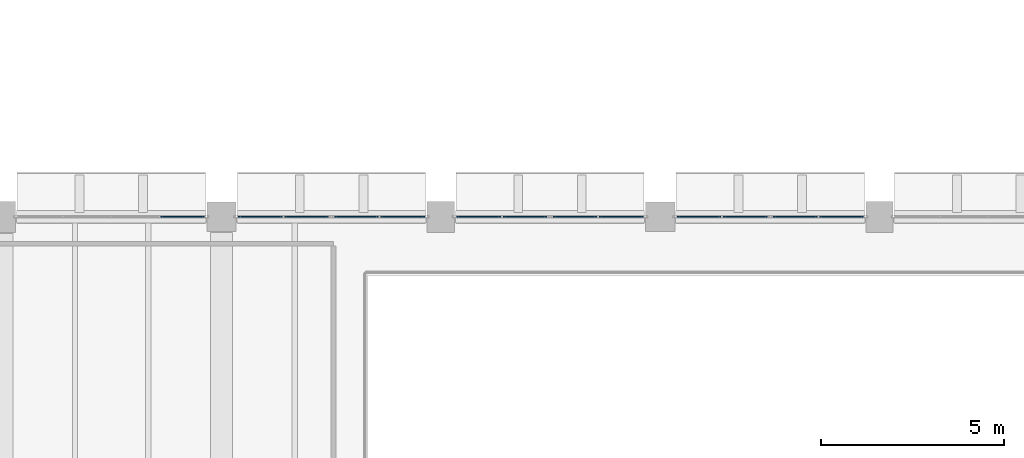
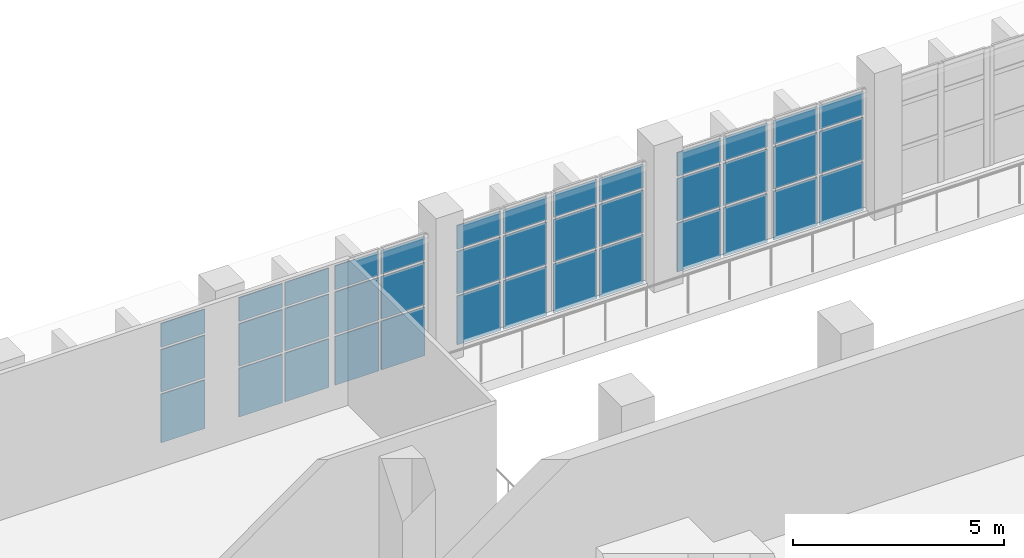
# One storey, part 54 of 76: 39 plates, 7 elements without a shape of their own.
"""IFC4 building model written with IfcOpenShell, lengths in metres."""

from ifc_helpers import new_model, si_unit, direction, frame, origin, origin_2d, place, context, subcontext, project, spatial, rectangle, extrude, material, layer, layer_set, type_object, element, aggregate, save


model = new_model("IFC4")

# Units and contexts
model_context = context("Model", 3, precision=1e-05, world=origin(), true_north=direction((0.0, 1.0)))
body_context = subcontext(model_context, "Body", "Model", "MODEL_VIEW")
ifc_project = project(units=[si_unit("LENGTHUNIT", "METRE"), si_unit("AREAUNIT", "SQUARE_METRE"), si_unit("VOLUMEUNIT", "CUBIC_METRE"), si_unit("PLANEANGLEUNIT", "RADIAN"), si_unit("MASSUNIT", "GRAM", prefix="KILO")], contexts=[model_context])

# Site, building, storey
site_placement = place(None, origin())
site = spatial("IfcSite", under=ifc_project, at=site_placement, CompositionType="ELEMENT")
building_placement = place(site_placement, origin())
building = spatial("IfcBuilding", under=site, at=building_placement, Name="Varnakota Cinema and Media Centre", CompositionType="ELEMENT")
storey_placement = place(building_placement, origin())
storey = spatial("IfcBuildingStorey", under=building, at=storey_placement, Name="L00", CompositionType="ELEMENT", Elevation=0.0)

# Curtain wall, plates
ifc_material_1 = material(Name="Thermally broken anodised aluminium AW-6063", Category="aluminium")
curtain_wall_type = type_object("IfcCurtainWallType", Name="CW-STD-259x358", PredefinedType="USERDEFINED", material=ifc_material_1)
curtain_wall_1_placement = place(storey_placement, origin())
curtain_wall_1 = element("IfcCurtainWall", 1, at=curtain_wall_1_placement, inside=storey, type_object=curtain_wall_type, Name="L00 curtain wall CW-L00-V1-N-06-2", ObjectType="UNITISED CURTAIN WALL", PredefinedType="USERDEFINED")
ifc_material_2 = material(Name="Laminated solar-control double glazing", Category="glass")
ifc_layer = layer(ifc_material_2, 0.028076171875)
ifc_layer_set = layer_set([ifc_layer], Name="Laminated solar-control double glazing")
plate_type = type_object("IfcPlateType", Name="CWP-DGU-28", PredefinedType="CURTAIN_PANEL", material=ifc_layer_set)
plate_1_placement = place(storey_placement, frame((109.935546875, 44.0, 0.06494140625), z_axis=(0.0, 0.0, 1.0), x_axis=(1.0, 0.0, 0.0)))
plate_1 = element("IfcPlate", 2, at=plate_1_placement, type_object=plate_type, Name="CW06 panel 2.1", PredefinedType="CURTAIN_PANEL", context=body_context, shape_type="SweptSolid", body=[
    extrude(rectangle(XDim=1.19873046875, YDim=0.028076171875, at=origin_2d()), origin(), (0.0, 0.0, 1.0), 1.408203125),
])
plate_2_placement = place(storey_placement, frame((109.935546875, 44.0, 1.5380859375), z_axis=(0.0, 0.0, 1.0), x_axis=(1.0, 0.0, 0.0)))
plate_2 = element("IfcPlate", 3, at=plate_2_placement, type_object=plate_type, Name="CW06 panel 2.2", PredefinedType="CURTAIN_PANEL", context=body_context, shape_type="SweptSolid", body=[
    extrude(rectangle(XDim=1.19873046875, YDim=0.028076171875, at=origin_2d()), origin(), (0.0, 0.0, 1.0), 1.2255859375),
])
plate_3_placement = place(storey_placement, frame((109.935546875, 44.0, 2.82861328125), z_axis=(0.0, 0.0, 1.0), x_axis=(1.0, 0.0, 0.0)))
plate_3 = element("IfcPlate", 4, at=plate_3_placement, type_object=plate_type, Name="CW06 panel 2.3", PredefinedType="CURTAIN_PANEL", context=body_context, shape_type="SweptSolid", body=[
    extrude(rectangle(XDim=1.19873046875, YDim=0.028076171875, at=origin_2d()), origin(), (0.0, 0.0, 1.0), 0.691162109375),
])
aggregate(curtain_wall_1, [plate_1, plate_2, plate_3])

curtain_wall_2_placement = place(storey_placement, origin())
curtain_wall_2 = element("IfcCurtainWall", 5, at=curtain_wall_2_placement, inside=storey, type_object=curtain_wall_type, Name="L00 curtain wall CW-L00-V1-N-07-1", ObjectType="UNITISED CURTAIN WALL", PredefinedType="USERDEFINED")
plate_4_placement = place(storey_placement, frame((112.064453125, 44.0, 0.06494140625), z_axis=(0.0, 0.0, 1.0), x_axis=(1.0, 0.0, 0.0)))
plate_4 = element("IfcPlate", 6, at=plate_4_placement, type_object=plate_type, Name="CW06 panel 1.1", PredefinedType="CURTAIN_PANEL", context=body_context, shape_type="SweptSolid", body=[
    extrude(rectangle(XDim=1.19873046875, YDim=0.028076171875, at=origin_2d()), origin(), (0.0, 0.0, 1.0), 1.408203125),
])
plate_5_placement = place(storey_placement, frame((112.064453125, 44.0, 1.5380859375), z_axis=(0.0, 0.0, 1.0), x_axis=(1.0, 0.0, 0.0)))
plate_5 = element("IfcPlate", 7, at=plate_5_placement, type_object=plate_type, Name="CW06 panel 1.2", PredefinedType="CURTAIN_PANEL", context=body_context, shape_type="SweptSolid", body=[
    extrude(rectangle(XDim=1.19873046875, YDim=0.028076171875, at=origin_2d()), origin(), (0.0, 0.0, 1.0), 1.2255859375),
])
plate_6_placement = place(storey_placement, frame((112.064453125, 44.0, 2.82861328125), z_axis=(0.0, 0.0, 1.0), x_axis=(1.0, 0.0, 0.0)))
plate_6 = element("IfcPlate", 8, at=plate_6_placement, type_object=plate_type, Name="CW06 panel 1.3", PredefinedType="CURTAIN_PANEL", context=body_context, shape_type="SweptSolid", body=[
    extrude(rectangle(XDim=1.19873046875, YDim=0.028076171875, at=origin_2d()), origin(), (0.0, 0.0, 1.0), 0.691162109375),
])
plate_7_placement = place(storey_placement, frame((113.328125, 44.0, 0.06494140625), z_axis=(0.0, 0.0, 1.0), x_axis=(1.0, 0.0, 0.0)))
plate_7 = element("IfcPlate", 9, at=plate_7_placement, type_object=plate_type, Name="CW06 panel 2.1", PredefinedType="CURTAIN_PANEL", context=body_context, shape_type="SweptSolid", body=[
    extrude(rectangle(XDim=1.19873046875, YDim=0.028076171875, at=origin_2d()), origin(), (0.0, 0.0, 1.0), 1.408203125),
])
plate_8_placement = place(storey_placement, frame((113.328125, 44.0, 1.5380859375), z_axis=(0.0, 0.0, 1.0), x_axis=(1.0, 0.0, 0.0)))
plate_8 = element("IfcPlate", 10, at=plate_8_placement, type_object=plate_type, Name="CW06 panel 2.2", PredefinedType="CURTAIN_PANEL", context=body_context, shape_type="SweptSolid", body=[
    extrude(rectangle(XDim=1.19873046875, YDim=0.028076171875, at=origin_2d()), origin(), (0.0, 0.0, 1.0), 1.2255859375),
])
plate_9_placement = place(storey_placement, frame((113.328125, 44.0, 2.82861328125), z_axis=(0.0, 0.0, 1.0), x_axis=(1.0, 0.0, 0.0)))
plate_9 = element("IfcPlate", 11, at=plate_9_placement, type_object=plate_type, Name="CW06 panel 2.3", PredefinedType="CURTAIN_PANEL", context=body_context, shape_type="SweptSolid", body=[
    extrude(rectangle(XDim=1.19873046875, YDim=0.028076171875, at=origin_2d()), origin(), (0.0, 0.0, 1.0), 0.691162109375),
])
aggregate(curtain_wall_2, [plate_4, plate_5, plate_6, plate_7, plate_8, plate_9])

curtain_wall_3_placement = place(storey_placement, origin())
curtain_wall_3 = element("IfcCurtainWall", 12, at=curtain_wall_3_placement, inside=storey, type_object=curtain_wall_type, Name="L00 curtain wall CW-L00-V1-N-07-2", ObjectType="UNITISED CURTAIN WALL", PredefinedType="USERDEFINED")
plate_10_placement = place(storey_placement, frame((114.69677734375, 44.0, 0.06494140625), z_axis=(0.0, 0.0, 1.0), x_axis=(1.0, 0.0, 0.0)))
plate_10 = element("IfcPlate", 13, at=plate_10_placement, type_object=plate_type, Name="CW06 panel 1.1", PredefinedType="CURTAIN_PANEL", context=body_context, shape_type="SweptSolid", body=[
    extrude(rectangle(XDim=1.19873046875, YDim=0.028076171875, at=origin_2d()), origin(), (0.0, 0.0, 1.0), 1.408203125),
])
plate_11_placement = place(storey_placement, frame((114.69677734375, 44.0, 1.5380859375), z_axis=(0.0, 0.0, 1.0), x_axis=(1.0, 0.0, 0.0)))
plate_11 = element("IfcPlate", 14, at=plate_11_placement, type_object=plate_type, Name="CW06 panel 1.2", PredefinedType="CURTAIN_PANEL", context=body_context, shape_type="SweptSolid", body=[
    extrude(rectangle(XDim=1.19873046875, YDim=0.028076171875, at=origin_2d()), origin(), (0.0, 0.0, 1.0), 1.2255859375),
])
plate_12_placement = place(storey_placement, frame((114.69677734375, 44.0, 2.82861328125), z_axis=(0.0, 0.0, 1.0), x_axis=(1.0, 0.0, 0.0)))
plate_12 = element("IfcPlate", 15, at=plate_12_placement, type_object=plate_type, Name="CW06 panel 1.3", PredefinedType="CURTAIN_PANEL", context=body_context, shape_type="SweptSolid", body=[
    extrude(rectangle(XDim=1.19873046875, YDim=0.028076171875, at=origin_2d()), origin(), (0.0, 0.0, 1.0), 0.691162109375),
])
plate_13_placement = place(storey_placement, frame((115.960693359375, 44.0, 0.06494140625), z_axis=(0.0, 0.0, 1.0), x_axis=(1.0, 0.0, 0.0)))
plate_13 = element("IfcPlate", 16, at=plate_13_placement, type_object=plate_type, Name="CW06 panel 2.1", PredefinedType="CURTAIN_PANEL", context=body_context, shape_type="SweptSolid", body=[
    extrude(rectangle(XDim=1.19873046875, YDim=0.028076171875, at=origin_2d()), origin(), (0.0, 0.0, 1.0), 1.408203125),
])
plate_14_placement = place(storey_placement, frame((115.960693359375, 44.0, 1.5380859375), z_axis=(0.0, 0.0, 1.0), x_axis=(1.0, 0.0, 0.0)))
plate_14 = element("IfcPlate", 17, at=plate_14_placement, type_object=plate_type, Name="CW06 panel 2.2", PredefinedType="CURTAIN_PANEL", context=body_context, shape_type="SweptSolid", body=[
    extrude(rectangle(XDim=1.19873046875, YDim=0.028076171875, at=origin_2d()), origin(), (0.0, 0.0, 1.0), 1.2255859375),
])
plate_15_placement = place(storey_placement, frame((115.960693359375, 44.0, 2.82861328125), z_axis=(0.0, 0.0, 1.0), x_axis=(1.0, 0.0, 0.0)))
plate_15 = element("IfcPlate", 18, at=plate_15_placement, type_object=plate_type, Name="CW06 panel 2.3", PredefinedType="CURTAIN_PANEL", context=body_context, shape_type="SweptSolid", body=[
    extrude(rectangle(XDim=1.19873046875, YDim=0.028076171875, at=origin_2d()), origin(), (0.0, 0.0, 1.0), 0.691162109375),
])
aggregate(curtain_wall_3, [plate_10, plate_11, plate_12, plate_13, plate_14, plate_15])

curtain_wall_4_placement = place(storey_placement, origin())
curtain_wall_4 = element("IfcCurtainWall", 19, at=curtain_wall_4_placement, inside=storey, type_object=curtain_wall_type, Name="L00 curtain wall CW-L00-V1-N-08-1", ObjectType="UNITISED CURTAIN WALL", PredefinedType="USERDEFINED")
plate_16_placement = place(storey_placement, frame((118.039306640625, 44.0, 0.06494140625), z_axis=(0.0, 0.0, 1.0), x_axis=(1.0, 0.0, 0.0)))
plate_16 = element("IfcPlate", 20, at=plate_16_placement, type_object=plate_type, Name="CW06 panel 1.1", PredefinedType="CURTAIN_PANEL", context=body_context, shape_type="SweptSolid", body=[
    extrude(rectangle(XDim=1.19873046875, YDim=0.028076171875, at=origin_2d()), origin(), (0.0, 0.0, 1.0), 1.408203125),
])
plate_17_placement = place(storey_placement, frame((118.039306640625, 44.0, 1.5380859375), z_axis=(0.0, 0.0, 1.0), x_axis=(1.0, 0.0, 0.0)))
plate_17 = element("IfcPlate", 21, at=plate_17_placement, type_object=plate_type, Name="CW06 panel 1.2", PredefinedType="CURTAIN_PANEL", context=body_context, shape_type="SweptSolid", body=[
    extrude(rectangle(XDim=1.19873046875, YDim=0.028076171875, at=origin_2d()), origin(), (0.0, 0.0, 1.0), 1.2255859375),
])
plate_18_placement = place(storey_placement, frame((118.039306640625, 44.0, 2.82861328125), z_axis=(0.0, 0.0, 1.0), x_axis=(1.0, 0.0, 0.0)))
plate_18 = element("IfcPlate", 22, at=plate_18_placement, type_object=plate_type, Name="CW06 panel 1.3", PredefinedType="CURTAIN_PANEL", context=body_context, shape_type="SweptSolid", body=[
    extrude(rectangle(XDim=1.19873046875, YDim=0.028076171875, at=origin_2d()), origin(), (0.0, 0.0, 1.0), 0.691162109375),
])
plate_19_placement = place(storey_placement, frame((119.30322265625, 44.0, 0.06494140625), z_axis=(0.0, 0.0, 1.0), x_axis=(1.0, 0.0, 0.0)))
plate_19 = element("IfcPlate", 23, at=plate_19_placement, type_object=plate_type, Name="CW06 panel 2.1", PredefinedType="CURTAIN_PANEL", context=body_context, shape_type="SweptSolid", body=[
    extrude(rectangle(XDim=1.19873046875, YDim=0.028076171875, at=origin_2d()), origin(), (0.0, 0.0, 1.0), 1.408203125),
])
plate_20_placement = place(storey_placement, frame((119.30322265625, 44.0, 1.5380859375), z_axis=(0.0, 0.0, 1.0), x_axis=(1.0, 0.0, 0.0)))
plate_20 = element("IfcPlate", 24, at=plate_20_placement, type_object=plate_type, Name="CW06 panel 2.2", PredefinedType="CURTAIN_PANEL", context=body_context, shape_type="SweptSolid", body=[
    extrude(rectangle(XDim=1.19873046875, YDim=0.028076171875, at=origin_2d()), origin(), (0.0, 0.0, 1.0), 1.2255859375),
])
plate_21_placement = place(storey_placement, frame((119.30322265625, 44.0, 2.82861328125), z_axis=(0.0, 0.0, 1.0), x_axis=(1.0, 0.0, 0.0)))
plate_21 = element("IfcPlate", 25, at=plate_21_placement, type_object=plate_type, Name="CW06 panel 2.3", PredefinedType="CURTAIN_PANEL", context=body_context, shape_type="SweptSolid", body=[
    extrude(rectangle(XDim=1.19873046875, YDim=0.028076171875, at=origin_2d()), origin(), (0.0, 0.0, 1.0), 0.691162109375),
])
aggregate(curtain_wall_4, [plate_16, plate_17, plate_18, plate_19, plate_20, plate_21])

curtain_wall_5_placement = place(storey_placement, origin())
curtain_wall_5 = element("IfcCurtainWall", 26, at=curtain_wall_5_placement, inside=storey, type_object=curtain_wall_type, Name="L00 curtain wall CW-L00-V1-N-08-2", ObjectType="UNITISED CURTAIN WALL", PredefinedType="USERDEFINED")
plate_22_placement = place(storey_placement, frame((120.671875, 44.0, 0.06494140625), z_axis=(0.0, 0.0, 1.0), x_axis=(1.0, 0.0, 0.0)))
plate_22 = element("IfcPlate", 27, at=plate_22_placement, type_object=plate_type, Name="CW06 panel 1.1", PredefinedType="CURTAIN_PANEL", context=body_context, shape_type="SweptSolid", body=[
    extrude(rectangle(XDim=1.19873046875, YDim=0.028076171875, at=origin_2d()), origin(), (0.0, 0.0, 1.0), 1.408203125),
])
plate_23_placement = place(storey_placement, frame((120.671875, 44.0, 1.5380859375), z_axis=(0.0, 0.0, 1.0), x_axis=(1.0, 0.0, 0.0)))
plate_23 = element("IfcPlate", 28, at=plate_23_placement, type_object=plate_type, Name="CW06 panel 1.2", PredefinedType="CURTAIN_PANEL", context=body_context, shape_type="SweptSolid", body=[
    extrude(rectangle(XDim=1.19873046875, YDim=0.028076171875, at=origin_2d()), origin(), (0.0, 0.0, 1.0), 1.2255859375),
])
plate_24_placement = place(storey_placement, frame((120.671875, 44.0, 2.82861328125), z_axis=(0.0, 0.0, 1.0), x_axis=(1.0, 0.0, 0.0)))
plate_24 = element("IfcPlate", 29, at=plate_24_placement, type_object=plate_type, Name="CW06 panel 1.3", PredefinedType="CURTAIN_PANEL", context=body_context, shape_type="SweptSolid", body=[
    extrude(rectangle(XDim=1.19873046875, YDim=0.028076171875, at=origin_2d()), origin(), (0.0, 0.0, 1.0), 0.691162109375),
])
plate_25_placement = place(storey_placement, frame((121.935546875, 44.0, 0.06494140625), z_axis=(0.0, 0.0, 1.0), x_axis=(1.0, 0.0, 0.0)))
plate_25 = element("IfcPlate", 30, at=plate_25_placement, type_object=plate_type, Name="CW06 panel 2.1", PredefinedType="CURTAIN_PANEL", context=body_context, shape_type="SweptSolid", body=[
    extrude(rectangle(XDim=1.19873046875, YDim=0.028076171875, at=origin_2d()), origin(), (0.0, 0.0, 1.0), 1.408203125),
])
plate_26_placement = place(storey_placement, frame((121.935546875, 44.0, 1.5380859375), z_axis=(0.0, 0.0, 1.0), x_axis=(1.0, 0.0, 0.0)))
plate_26 = element("IfcPlate", 31, at=plate_26_placement, type_object=plate_type, Name="CW06 panel 2.2", PredefinedType="CURTAIN_PANEL", context=body_context, shape_type="SweptSolid", body=[
    extrude(rectangle(XDim=1.19873046875, YDim=0.028076171875, at=origin_2d()), origin(), (0.0, 0.0, 1.0), 1.2255859375),
])
plate_27_placement = place(storey_placement, frame((121.935546875, 44.0, 2.82861328125), z_axis=(0.0, 0.0, 1.0), x_axis=(1.0, 0.0, 0.0)))
plate_27 = element("IfcPlate", 32, at=plate_27_placement, type_object=plate_type, Name="CW06 panel 2.3", PredefinedType="CURTAIN_PANEL", context=body_context, shape_type="SweptSolid", body=[
    extrude(rectangle(XDim=1.19873046875, YDim=0.028076171875, at=origin_2d()), origin(), (0.0, 0.0, 1.0), 0.691162109375),
])
aggregate(curtain_wall_5, [plate_22, plate_23, plate_24, plate_25, plate_26, plate_27])

curtain_wall_6_placement = place(storey_placement, origin())
curtain_wall_6 = element("IfcCurtainWall", 33, at=curtain_wall_6_placement, inside=storey, type_object=curtain_wall_type, Name="L00 curtain wall CW-L00-V1-N-09-1", ObjectType="UNITISED CURTAIN WALL", PredefinedType="USERDEFINED")
plate_28_placement = place(storey_placement, frame((124.064453125, 44.0, 0.06494140625), z_axis=(0.0, 0.0, 1.0), x_axis=(1.0, 0.0, 0.0)))
plate_28 = element("IfcPlate", 34, at=plate_28_placement, type_object=plate_type, Name="CW06 panel 1.1", PredefinedType="CURTAIN_PANEL", context=body_context, shape_type="SweptSolid", body=[
    extrude(rectangle(XDim=1.19873046875, YDim=0.028076171875, at=origin_2d()), origin(), (0.0, 0.0, 1.0), 1.408203125),
])
plate_29_placement = place(storey_placement, frame((124.064453125, 44.0, 1.5380859375), z_axis=(0.0, 0.0, 1.0), x_axis=(1.0, 0.0, 0.0)))
plate_29 = element("IfcPlate", 35, at=plate_29_placement, type_object=plate_type, Name="CW06 panel 1.2", PredefinedType="CURTAIN_PANEL", context=body_context, shape_type="SweptSolid", body=[
    extrude(rectangle(XDim=1.19873046875, YDim=0.028076171875, at=origin_2d()), origin(), (0.0, 0.0, 1.0), 1.2255859375),
])
plate_30_placement = place(storey_placement, frame((124.064453125, 44.0, 2.82861328125), z_axis=(0.0, 0.0, 1.0), x_axis=(1.0, 0.0, 0.0)))
plate_30 = element("IfcPlate", 36, at=plate_30_placement, type_object=plate_type, Name="CW06 panel 1.3", PredefinedType="CURTAIN_PANEL", context=body_context, shape_type="SweptSolid", body=[
    extrude(rectangle(XDim=1.19873046875, YDim=0.028076171875, at=origin_2d()), origin(), (0.0, 0.0, 1.0), 0.691162109375),
])
plate_31_placement = place(storey_placement, frame((125.328125, 44.0, 0.06494140625), z_axis=(0.0, 0.0, 1.0), x_axis=(1.0, 0.0, 0.0)))
plate_31 = element("IfcPlate", 37, at=plate_31_placement, type_object=plate_type, Name="CW06 panel 2.1", PredefinedType="CURTAIN_PANEL", context=body_context, shape_type="SweptSolid", body=[
    extrude(rectangle(XDim=1.19873046875, YDim=0.028076171875, at=origin_2d()), origin(), (0.0, 0.0, 1.0), 1.408203125),
])
plate_32_placement = place(storey_placement, frame((125.328125, 44.0, 1.5380859375), z_axis=(0.0, 0.0, 1.0), x_axis=(1.0, 0.0, 0.0)))
plate_32 = element("IfcPlate", 38, at=plate_32_placement, type_object=plate_type, Name="CW06 panel 2.2", PredefinedType="CURTAIN_PANEL", context=body_context, shape_type="SweptSolid", body=[
    extrude(rectangle(XDim=1.19873046875, YDim=0.028076171875, at=origin_2d()), origin(), (0.0, 0.0, 1.0), 1.2255859375),
])
plate_33_placement = place(storey_placement, frame((125.328125, 44.0, 2.82861328125), z_axis=(0.0, 0.0, 1.0), x_axis=(1.0, 0.0, 0.0)))
plate_33 = element("IfcPlate", 39, at=plate_33_placement, type_object=plate_type, Name="CW06 panel 2.3", PredefinedType="CURTAIN_PANEL", context=body_context, shape_type="SweptSolid", body=[
    extrude(rectangle(XDim=1.19873046875, YDim=0.028076171875, at=origin_2d()), origin(), (0.0, 0.0, 1.0), 0.691162109375),
])
aggregate(curtain_wall_6, [plate_28, plate_29, plate_30, plate_31, plate_32, plate_33])

curtain_wall_7_placement = place(storey_placement, origin())
curtain_wall_7 = element("IfcCurtainWall", 40, at=curtain_wall_7_placement, inside=storey, type_object=curtain_wall_type, Name="L00 curtain wall CW-L00-V1-N-09-2", ObjectType="UNITISED CURTAIN WALL", PredefinedType="USERDEFINED")
plate_34_placement = place(storey_placement, frame((126.69677734375, 44.0, 0.06494140625), z_axis=(0.0, 0.0, 1.0), x_axis=(1.0, 0.0, 0.0)))
plate_34 = element("IfcPlate", 41, at=plate_34_placement, type_object=plate_type, Name="CW06 panel 1.1", PredefinedType="CURTAIN_PANEL", context=body_context, shape_type="SweptSolid", body=[
    extrude(rectangle(XDim=1.19873046875, YDim=0.028076171875, at=origin_2d()), origin(), (0.0, 0.0, 1.0), 1.408203125),
])
plate_35_placement = place(storey_placement, frame((126.69677734375, 44.0, 1.5380859375), z_axis=(0.0, 0.0, 1.0), x_axis=(1.0, 0.0, 0.0)))
plate_35 = element("IfcPlate", 42, at=plate_35_placement, type_object=plate_type, Name="CW06 panel 1.2", PredefinedType="CURTAIN_PANEL", context=body_context, shape_type="SweptSolid", body=[
    extrude(rectangle(XDim=1.19873046875, YDim=0.028076171875, at=origin_2d()), origin(), (0.0, 0.0, 1.0), 1.2255859375),
])
plate_36_placement = place(storey_placement, frame((126.69677734375, 44.0, 2.82861328125), z_axis=(0.0, 0.0, 1.0), x_axis=(1.0, 0.0, 0.0)))
plate_36 = element("IfcPlate", 43, at=plate_36_placement, type_object=plate_type, Name="CW06 panel 1.3", PredefinedType="CURTAIN_PANEL", context=body_context, shape_type="SweptSolid", body=[
    extrude(rectangle(XDim=1.19873046875, YDim=0.028076171875, at=origin_2d()), origin(), (0.0, 0.0, 1.0), 0.691162109375),
])
plate_37_placement = place(storey_placement, frame((127.960693359375, 44.0, 0.06494140625), z_axis=(0.0, 0.0, 1.0), x_axis=(1.0, 0.0, 0.0)))
plate_37 = element("IfcPlate", 44, at=plate_37_placement, type_object=plate_type, Name="CW06 panel 2.1", PredefinedType="CURTAIN_PANEL", context=body_context, shape_type="SweptSolid", body=[
    extrude(rectangle(XDim=1.19873046875, YDim=0.028076171875, at=origin_2d()), origin(), (0.0, 0.0, 1.0), 1.408203125),
])
plate_38_placement = place(storey_placement, frame((127.960693359375, 44.0, 1.5380859375), z_axis=(0.0, 0.0, 1.0), x_axis=(1.0, 0.0, 0.0)))
plate_38 = element("IfcPlate", 45, at=plate_38_placement, type_object=plate_type, Name="CW06 panel 2.2", PredefinedType="CURTAIN_PANEL", context=body_context, shape_type="SweptSolid", body=[
    extrude(rectangle(XDim=1.19873046875, YDim=0.028076171875, at=origin_2d()), origin(), (0.0, 0.0, 1.0), 1.2255859375),
])
plate_39_placement = place(storey_placement, frame((127.960693359375, 44.0, 2.82861328125), z_axis=(0.0, 0.0, 1.0), x_axis=(1.0, 0.0, 0.0)))
plate_39 = element("IfcPlate", 46, at=plate_39_placement, type_object=plate_type, Name="CW06 panel 2.3", PredefinedType="CURTAIN_PANEL", context=body_context, shape_type="SweptSolid", body=[
    extrude(rectangle(XDim=1.19873046875, YDim=0.028076171875, at=origin_2d()), origin(), (0.0, 0.0, 1.0), 0.691162109375),
])
aggregate(curtain_wall_7, [plate_34, plate_35, plate_36, plate_37, plate_38, plate_39])

save(model, "model.ifc")
